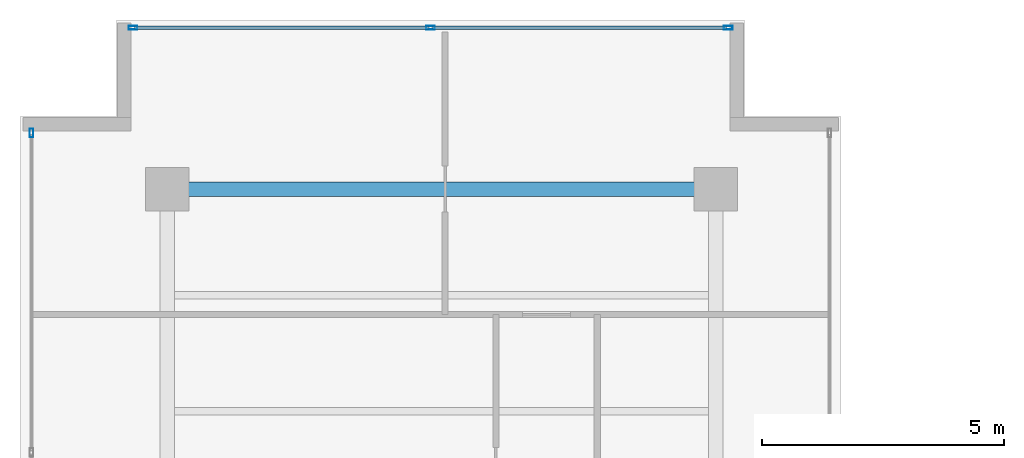
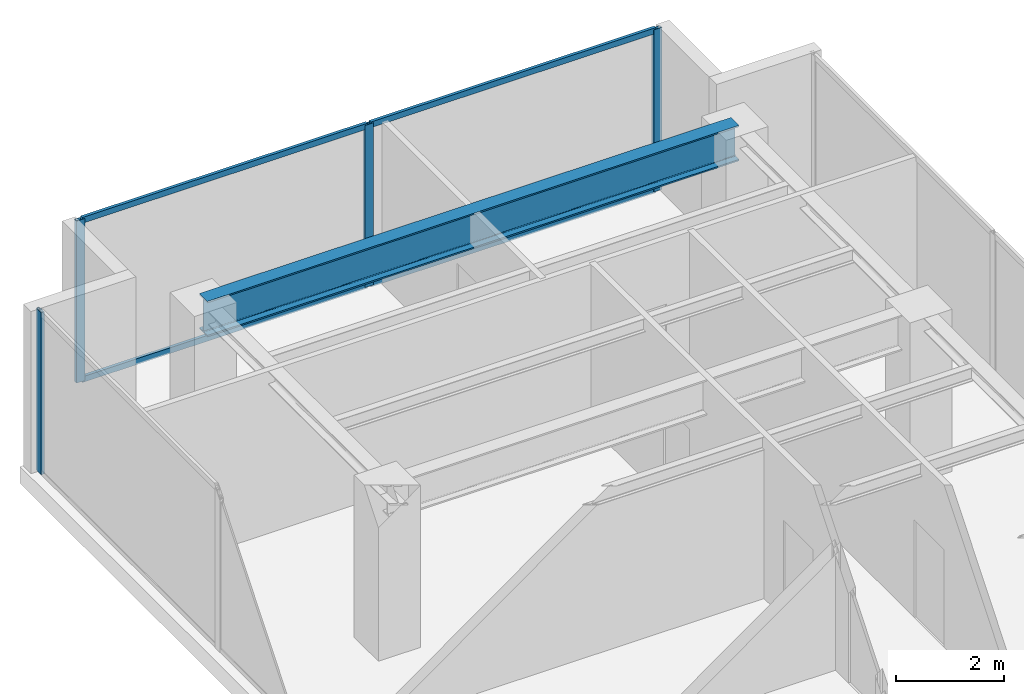
# One storey, part 21 of 31: 8 members, 1 beam, 2 elements without a shape of their own.
"""IFC4 building model written with IfcOpenShell, lengths in metres."""

from ifc_helpers import new_model, si_unit, direction, frame, origin, origin_with_axes, origin_2d, place, context, subcontext, project, spatial, hollow_rectangle, i_section, extrude, source, transform, mapped, material, layer, layer_set, material_profile, profile_set, type_object, element, aggregate, save


model = new_model("IFC4")

# Units and contexts
model_context = context("Model", 3, precision=1e-05, world=origin(), true_north=direction((0.0, 1.0)))
body_context = subcontext(model_context, "Body", "Model", "MODEL_VIEW")
ifc_project = project(units=[si_unit("LENGTHUNIT", "METRE"), si_unit("AREAUNIT", "SQUARE_METRE"), si_unit("VOLUMEUNIT", "CUBIC_METRE"), si_unit("PLANEANGLEUNIT", "RADIAN"), si_unit("MASSUNIT", "GRAM", prefix="KILO")], contexts=[model_context])

# Site, building, storey
site_placement = place(None, origin())
site = spatial("IfcSite", under=ifc_project, at=site_placement, CompositionType="ELEMENT")
building_placement = place(site_placement, origin())
building = spatial("IfcBuilding", under=site, at=building_placement, Name="Kolvaren Waterfront Exchange", CompositionType="ELEMENT")
storey_placement = place(building_placement, frame((0.0, 0.0, 344.199951171875)))
storey = spatial("IfcBuildingStorey", under=building, at=storey_placement, Name="L88", CompositionType="ELEMENT", Elevation=344.199951171875)

# Beam
ifc_material_1 = material(Name="Steel S355", Category="steel")
ifc_material_profile_1 = material_profile(ifc_material_1, i_section(OverallWidth=0.300048828125, OverallDepth=0.800048828125, WebThickness=0.017578125, FlangeThickness=0.032958984375, FilletRadius=0.030029296875, at=origin_2d()), Name="HEB800")
ifc_profile_set_1 = profile_set([ifc_material_profile_1], Name="Steel S355")
beam_type = type_object("IfcBeamType", Name="STR-BM-HEB800", PredefinedType="BEAM", material=ifc_profile_set_1)
beam_placement = place(storey_placement, frame((7.449951171875, 44.60009765625, 3.260009765625), z_axis=(1.0, 0.0, 0.0), x_axis=(0.0, 1.0, 0.0)))
element("IfcBeam", 1, at=beam_placement, inside=storey, type_object=beam_type, Name="L88 north-arm girder 4", PredefinedType="BEAM", context=body_context, shape_type="SweptSolid", body=[
    extrude(i_section(OverallWidth=0.300048828125, OverallDepth=0.800048828125, WebThickness=0.017578125, FlangeThickness=0.032958984375, FilletRadius=0.030029296875, at=origin_2d()), origin(), (0.0, 0.0, 1.0), 11.35009765625),
])

# Curtain wall, member
ifc_material_2 = material(Name="Anodised bronze aluminium 6063-T6", Category="aluminium")
ifc_layer = layer(ifc_material_2, 0.219970703125, Name="Anodised bronze aluminium 6063-T6")
ifc_layer_set = layer_set([ifc_layer], Name="Anodised bronze aluminium 6063-T6")
curtain_wall_type = type_object("IfcCurtainWallType", Name="ARC-CW-SYS5", PredefinedType="USERDEFINED", material=ifc_layer_set)
curtain_wall_1_placement = place(storey_placement, origin())
curtain_wall_1 = element("IfcCurtainWall", 2, at=curtain_wall_1_placement, inside=storey, type_object=curtain_wall_type, Name="L88 stick curtain wall CW5 (CW-L88-W)", ObjectType="STICK CURTAIN WALL", PredefinedType="USERDEFINED")
ifc_material_profile_2 = material_profile(ifc_material_2, hollow_rectangle(XDim=0.074951171875, YDim=0.179931640625, WallThickness=0.00439453125, at=origin_2d()), Name="ALU-MUL-180x75x4.5")
ifc_profile_set_2 = profile_set([ifc_material_profile_2], Name="Anodised bronze aluminium 6063-T6")
member_type_1 = type_object("IfcMemberType", Name="ARC-CWM-180", PredefinedType="MULLION", material=ifc_profile_set_2)
shared_shape_1 = source(origin_with_axes(), body_context, "Body", "SweptSolid", [
    extrude(hollow_rectangle(XDim=0.074951171875, YDim=0.179931640625, WallThickness=0.00439453125, at=origin_2d()), origin(), (0.0, 0.0, 1.0), 3.66015625),
])
member_1_placement = place(storey_placement, frame((4.639892578125, 45.762451171875, 0.0), z_axis=(0.0, 0.0, 1.0), x_axis=(-1.0, 0.0, 0.0)))
member_1 = element("IfcMember", 3, at=member_1_placement, type_object=member_type_1, Name="CW5 mullion 7", PredefinedType="MULLION", context=body_context, shape_type="MappedRepresentation", body=[
    mapped(shared_shape_1, transform((0.0, 0.0, 0.0), x_axis=(1.0, 0.0, 0.0), y_axis=(0.0, 1.0, 0.0), z_axis=(0.0, 0.0, 1.0), scale=1.0)),
])
aggregate(curtain_wall_1, [member_1])

# Curtain wall, members
curtain_wall_2_placement = place(storey_placement, origin())
curtain_wall_2 = element("IfcCurtainWall", 4, at=curtain_wall_2_placement, inside=storey, type_object=curtain_wall_type, Name="L88 stick curtain wall CW5 (CW-L88-NT)", ObjectType="STICK CURTAIN WALL", PredefinedType="USERDEFINED")
member_2_placement = place(storey_placement, frame((6.737548828125, 47.93994140625, 0.0), z_axis=(0.0, 0.0, 1.0), x_axis=(0.0, 1.0, 0.0)))
member_2 = element("IfcMember", 5, at=member_2_placement, type_object=member_type_1, Name="CW5 mullion 1", PredefinedType="MULLION", context=body_context, shape_type="MappedRepresentation", body=[
    mapped(shared_shape_1, transform((0.0, 0.0, 0.0), x_axis=(1.0, 0.0, 0.0), y_axis=(0.0, 1.0, 0.0), z_axis=(0.0, 0.0, 1.0), scale=1.0)),
])
member_3_placement = place(storey_placement, frame((12.89990234375, 47.93994140625, 0.0), z_axis=(0.0, 0.0, 1.0), x_axis=(0.0, 1.0, 0.0)))
member_3 = element("IfcMember", 6, at=member_3_placement, type_object=member_type_1, Name="CW5 mullion 2", PredefinedType="MULLION", context=body_context, shape_type="MappedRepresentation", body=[
    mapped(shared_shape_1, transform((0.0, 0.0, 0.0), x_axis=(1.0, 0.0, 0.0), y_axis=(0.0, 1.0, 0.0), z_axis=(0.0, 0.0, 1.0), scale=1.0)),
])
member_4_placement = place(storey_placement, frame((19.0625, 47.93994140625, 0.0), z_axis=(0.0, 0.0, 1.0), x_axis=(0.0, 1.0, 0.0)))
member_4 = element("IfcMember", 7, at=member_4_placement, type_object=member_type_1, Name="CW5 mullion 3", PredefinedType="MULLION", context=body_context, shape_type="MappedRepresentation", body=[
    mapped(shared_shape_1, transform((0.0, 0.0, 0.0), x_axis=(1.0, 0.0, 0.0), y_axis=(0.0, 1.0, 0.0), z_axis=(0.0, 0.0, 1.0), scale=1.0)),
])
ifc_material_profile_3 = material_profile(ifc_material_2, hollow_rectangle(XDim=0.06494140625, YDim=0.1298828125, WallThickness=0.00390625, at=origin_2d()), Name="ALU-TRN-130x65x4")
ifc_profile_set_3 = profile_set([ifc_material_profile_3], Name="Anodised bronze aluminium 6063-T6")
member_type_2 = type_object("IfcMemberType", Name="ARC-CWT-130", PredefinedType="USERDEFINED", material=ifc_profile_set_3)
shared_shape_2 = source(origin_with_axes(), body_context, "Body", "SweptSolid", [
    extrude(hollow_rectangle(XDim=0.06494140625, YDim=0.1298828125, WallThickness=0.00390625, at=origin_2d()), origin(), (0.0, 0.0, 1.0), 6.087646484375),
])
member_5_placement = place(storey_placement, frame((6.77490234375, 47.93994140625, 0.032470703125), z_axis=(1.0, 0.0, 0.0), x_axis=(0.0, 1.0, 0.0)))
member_5 = element("IfcMember", 8, at=member_5_placement, type_object=member_type_2, Name="CW5 transom 1.1", ObjectType="TRANSOM", PredefinedType="USERDEFINED", context=body_context, shape_type="MappedRepresentation", body=[
    mapped(shared_shape_2, transform((0.0, 0.0, 0.0), x_axis=(1.0, 0.0, 0.0), y_axis=(0.0, 1.0, 0.0), z_axis=(0.0, 0.0, 1.0), scale=1.0)),
])
member_6_placement = place(storey_placement, frame((6.77490234375, 47.93994140625, 3.62744140625), z_axis=(1.0, 0.0, 0.0), x_axis=(0.0, 1.0, 0.0)))
member_6 = element("IfcMember", 9, at=member_6_placement, type_object=member_type_2, Name="CW5 transom 1.2", ObjectType="TRANSOM", PredefinedType="USERDEFINED", context=body_context, shape_type="MappedRepresentation", body=[
    mapped(shared_shape_2, transform((0.0, 0.0, 0.0), x_axis=(1.0, 0.0, 0.0), y_axis=(0.0, 1.0, 0.0), z_axis=(0.0, 0.0, 1.0), scale=1.0)),
])
shared_shape_3 = source(origin_with_axes(), body_context, "Body", "SweptSolid", [
    extrude(hollow_rectangle(XDim=0.06494140625, YDim=0.1298828125, WallThickness=0.00390625, at=origin_2d()), origin(), (0.0, 0.0, 1.0), 6.08740234375),
])
member_7_placement = place(storey_placement, frame((12.9375, 47.93994140625, 0.032470703125), z_axis=(1.0, 0.0, 0.0), x_axis=(0.0, 1.0, 0.0)))
member_7 = element("IfcMember", 10, at=member_7_placement, type_object=member_type_2, Name="CW5 transom 2.1", ObjectType="TRANSOM", PredefinedType="USERDEFINED", context=body_context, shape_type="MappedRepresentation", body=[
    mapped(shared_shape_3, transform((0.0, 0.0, 0.0), x_axis=(1.0, 0.0, 0.0), y_axis=(0.0, 1.0, 0.0), z_axis=(0.0, 0.0, 1.0), scale=1.0)),
])
member_8_placement = place(storey_placement, frame((12.9375, 47.93994140625, 3.62744140625), z_axis=(1.0, 0.0, 0.0), x_axis=(0.0, 1.0, 0.0)))
member_8 = element("IfcMember", 11, at=member_8_placement, type_object=member_type_2, Name="CW5 transom 2.2", ObjectType="TRANSOM", PredefinedType="USERDEFINED", context=body_context, shape_type="MappedRepresentation", body=[
    mapped(shared_shape_3, transform((0.0, 0.0, 0.0), x_axis=(1.0, 0.0, 0.0), y_axis=(0.0, 1.0, 0.0), z_axis=(0.0, 0.0, 1.0), scale=1.0)),
])
aggregate(curtain_wall_2, [member_2, member_3, member_4, member_5, member_6, member_7, member_8])

save(model, "model.ifc")
